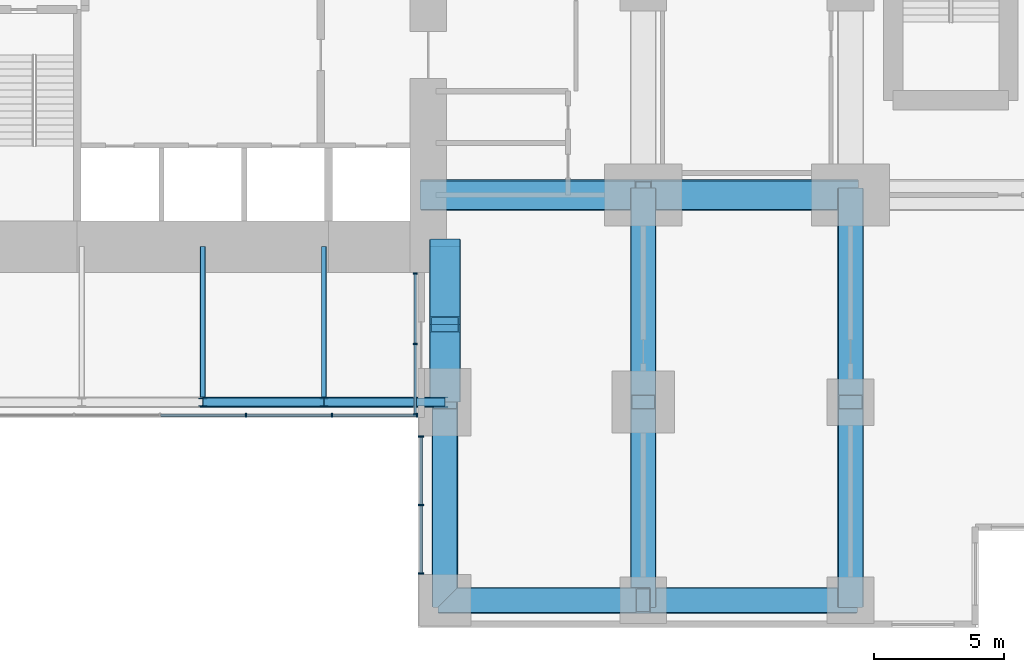
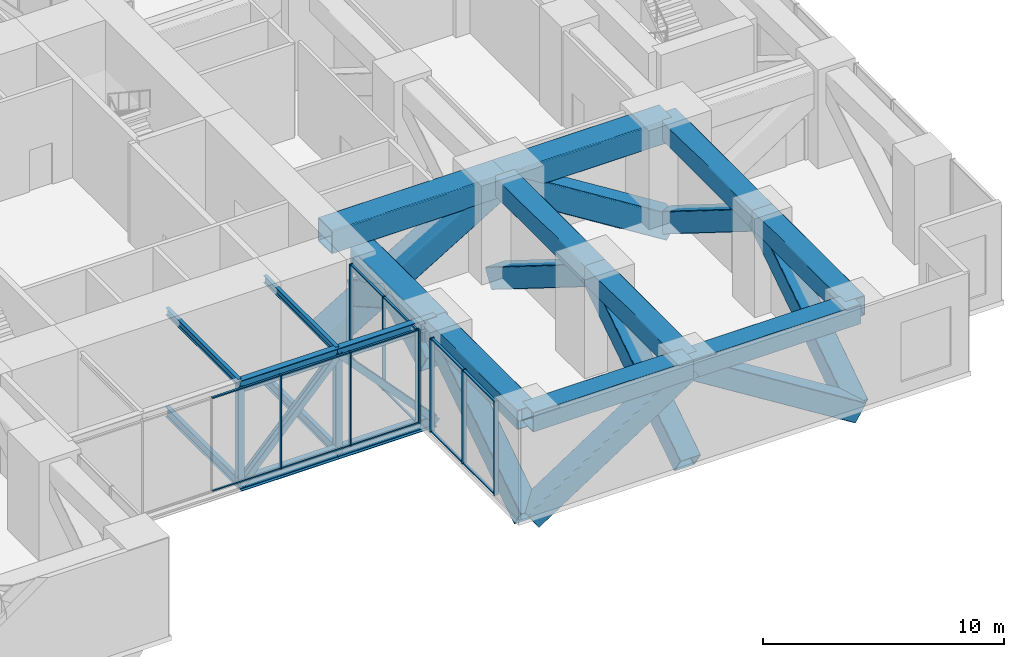
# One storey, part 5 of 19: 48 members, 8 beams, 3 elements without a shape of their own.
"""IFC4 building model written with IfcOpenShell, lengths in metres."""

from ifc_helpers import new_model, si_unit, direction, frame, origin, origin_2d, place, context, subcontext, project, spatial, rectangle, hollow_rectangle, i_section, extrude, material, layer, layer_set, material_profile, profile_set, type_object, element, aggregate, save


model = new_model("IFC4")

# Units and contexts
model_context = context("Model", 3, precision=1e-05, world=origin(), true_north=direction((0.0, 1.0)))
body_context = subcontext(model_context, "Body", "Model", "MODEL_VIEW")
ifc_project = project(units=[si_unit("LENGTHUNIT", "METRE"), si_unit("AREAUNIT", "SQUARE_METRE"), si_unit("VOLUMEUNIT", "CUBIC_METRE"), si_unit("PLANEANGLEUNIT", "RADIAN"), si_unit("MASSUNIT", "GRAM", prefix="KILO")], contexts=[model_context])

# Site, building, storey
site_placement = place(None, origin())
site = spatial("IfcSite", under=ifc_project, at=site_placement, CompositionType="ELEMENT")
building_placement = place(site_placement, origin())
building = spatial("IfcBuilding", under=site, at=building_placement, Name="Cleftline Residences", CompositionType="ELEMENT")
storey_placement = place(building_placement, frame((0.0, 0.0, 177.199951171875)))
storey = spatial("IfcBuildingStorey", under=building, at=storey_placement, Name="L46", CompositionType="ELEMENT", Elevation=177.199951171875)

# Beams
ifc_material_1 = material(Name="Steel S355", Category="steel")
ifc_material_profile_1 = material_profile(ifc_material_1, i_section(OverallWidth=0.169921875, OverallDepth=0.360107421875, WebThickness=0.008056640625, FlangeThickness=0.0126953125, FilletRadius=0.01806640625, at=origin_2d()))
ifc_profile_set_1 = profile_set([ifc_material_profile_1], Name="Steel S355")
beam_type_1 = type_object("IfcBeamType", Name="BEAM IPE 360", PredefinedType="BEAM", material=ifc_profile_set_1)
for number, where, z_axis, x_axis, name in (
    (1, (33.0, 8.0, 4.6201171875), (0.0, 1.0, 0.0), (-1.0, 0.0, 0.0), "Bridge roof beam"),
    (2, (37.675048828125, 8.0, 4.6201171875), (0.0, 1.0, 0.0), (-1.0, 0.0, 0.0), "Bridge roof beam"),
):
    element("IfcBeam", number, at=place(storey_placement, frame(where, z_axis=z_axis, x_axis=x_axis)), inside=storey, type_object=beam_type_1, Name=name, PredefinedType="BEAM", context=body_context, shape_type="SweptSolid", body=[
        extrude(i_section(OverallWidth=0.169921875, OverallDepth=0.360107421875, WebThickness=0.008056640625, FlangeThickness=0.0126953125, FilletRadius=0.01806640625, at=origin_2d()), origin(), (0.0, 0.0, 1.0), 6.0),
    ])
ifc_material_2 = material(Name="Steel S355", Category="steel")
ifc_material_profile_2 = material_profile(ifc_material_2, i_section(OverallWidth=0.199951171875, OverallDepth=0.5, WebThickness=0.01025390625, FlangeThickness=0.01611328125, FilletRadius=0.02099609375, at=origin_2d()))
ifc_profile_set_2 = profile_set([ifc_material_profile_2], Name="Steel S355")
beam_type_2 = type_object("IfcBeamType", Name="BEAM IPE 500", PredefinedType="BEAM", material=ifc_profile_set_2)
for number, where, z_axis, x_axis, name in (
    (3, (33.0, 8.0, -0.449951171875), (0.0, 1.0, 0.0), (-1.0, 0.0, 0.0), "Bridge floor beam"),
    (4, (37.675048828125, 8.0, -0.449951171875), (0.0, 1.0, 0.0), (-1.0, 0.0, 0.0), "Bridge floor beam"),
):
    element("IfcBeam", number, at=place(storey_placement, frame(where, z_axis=z_axis, x_axis=x_axis)), inside=storey, type_object=beam_type_2, Name=name, PredefinedType="BEAM", context=body_context, shape_type="SweptSolid", body=[
        extrude(i_section(OverallWidth=0.199951171875, OverallDepth=0.5, WebThickness=0.01025390625, FlangeThickness=0.01611328125, FilletRadius=0.02099609375, at=origin_2d()), origin(), (0.0, 0.0, 1.0), 6.0),
    ])

# Members
ifc_material_3 = material(Name="Steel S355", Category="steel")
ifc_material_profile_3 = material_profile(ifc_material_3, hollow_rectangle(XDim=1.0, YDim=1.0, WallThickness=0.0400390625, InnerFilletRadius=0.0400390625, OuterFilletRadius=0.06005859375, at=origin_2d()))
ifc_profile_set_3 = profile_set([ifc_material_profile_3], Name="Steel S355")
member_type_1 = type_object("IfcMemberType", Name="BRACE BOX 1000X1000X40", PredefinedType="BRACE", material=ifc_profile_set_3)
for number, where, z_axis, x_axis, name in (
    (5, (42.35009765625, 0.35009765625, -0.75), (0.0, 0.837062783189, 0.547106842399), (0.0, -0.547106842399, 0.837062783189), "Belt truss diagonal"),
    (6, (50.0, 0.35009765625, -0.75), (0.0, 0.837062783189, 0.547106842399), (0.0, -0.547106842399, 0.837062783189), "Belt truss diagonal"),
):
    element("IfcMember", number, at=place(storey_placement, frame(where, z_axis=z_axis, x_axis=x_axis)), inside=storey, type_object=member_type_1, Name=name, PredefinedType="BRACE", context=body_context, shape_type="SweptSolid", body=[
        extrude(hollow_rectangle(XDim=1.0, YDim=1.0, WallThickness=0.0400390625, InnerFilletRadius=0.0400390625, OuterFilletRadius=0.06005859375, at=origin_2d()), origin(), (0.0, 0.0, 1.0), 9.138916015625),
    ])
member_1_placement = place(storey_placement, frame((50.0, 8.0, 4.25), z_axis=(0.0, 0.847998304005, -0.529998940003), x_axis=(0.0, 0.529998940003, 0.847998304005)))
element("IfcMember", 7, at=member_1_placement, inside=storey, type_object=member_type_1, Name="Belt truss diagonal", PredefinedType="BRACE", context=body_context, shape_type="SweptSolid", body=[
    extrude(hollow_rectangle(XDim=1.0, YDim=1.0, WallThickness=0.0400390625, InnerFilletRadius=0.0400390625, OuterFilletRadius=0.06005859375, at=origin_2d()), origin(), (0.0, 0.0, 1.0), 9.43408203125),
])
member_2_placement = place(storey_placement, frame((58.0, 0.35009765625, -0.75), z_axis=(0.0, 0.837062783189, 0.547106842399), x_axis=(0.0, -0.547106842399, 0.837062783189)))
element("IfcMember", 8, at=member_2_placement, inside=storey, type_object=member_type_1, Name="Belt truss diagonal", PredefinedType="BRACE", context=body_context, shape_type="SweptSolid", body=[
    extrude(hollow_rectangle(XDim=1.0, YDim=1.0, WallThickness=0.0400390625, InnerFilletRadius=0.0400390625, OuterFilletRadius=0.06005859375, at=origin_2d()), origin(), (0.0, 0.0, 1.0), 9.138916015625),
])
member_3_placement = place(storey_placement, frame((58.0, 8.0, 4.25), z_axis=(0.0, 0.847998304005, -0.529998940003), x_axis=(0.0, 0.529998940003, 0.847998304005)))
element("IfcMember", 9, at=member_3_placement, inside=storey, type_object=member_type_1, Name="Belt truss diagonal", PredefinedType="BRACE", context=body_context, shape_type="SweptSolid", body=[
    extrude(hollow_rectangle(XDim=1.0, YDim=1.0, WallThickness=0.0400390625, InnerFilletRadius=0.0400390625, OuterFilletRadius=0.06005859375, at=origin_2d()), origin(), (0.0, 0.0, 1.0), 9.43408203125),
])
member_4_placement = place(storey_placement, frame((42.35009765625, 0.35009765625, -0.75), z_axis=(0.837062783189, 0.0, 0.547106842399), x_axis=(-0.547106842399, 0.0, 0.837062783189)))
element("IfcMember", 10, at=member_4_placement, inside=storey, type_object=member_type_1, Name="Belt truss diagonal", PredefinedType="BRACE", context=body_context, shape_type="SweptSolid", body=[
    extrude(hollow_rectangle(XDim=1.0, YDim=1.0, WallThickness=0.0400390625, InnerFilletRadius=0.0400390625, OuterFilletRadius=0.06005859375, at=origin_2d()), origin(), (0.0, 0.0, 1.0), 9.138916015625),
])
member_5_placement = place(storey_placement, frame((50.0, 0.35009765625, 4.25), z_axis=(0.847998304005, 0.0, -0.529998940003), x_axis=(0.529998940003, 0.0, 0.847998304005)))
element("IfcMember", 11, at=member_5_placement, inside=storey, type_object=member_type_1, Name="Belt truss diagonal", PredefinedType="BRACE", context=body_context, shape_type="SweptSolid", body=[
    extrude(hollow_rectangle(XDim=1.0, YDim=1.0, WallThickness=0.0400390625, InnerFilletRadius=0.0400390625, OuterFilletRadius=0.06005859375, at=origin_2d()), origin(), (0.0, 0.0, 1.0), 9.43408203125),
])
ifc_material_4 = material(Name="Steel S355", Category="steel")
ifc_material_profile_4 = material_profile(ifc_material_4, hollow_rectangle(XDim=1.199951171875, YDim=1.199951171875, WallThickness=0.06005859375, InnerFilletRadius=0.06005859375, OuterFilletRadius=0.090087890625, at=origin_2d()))
ifc_profile_set_4 = profile_set([ifc_material_profile_4], Name="Steel S355")
member_type_2 = type_object("IfcMemberType", Name="BRACE BOX 1200X1200X60", PredefinedType="BRACE", material=ifc_profile_set_4)
member_6_placement = place(storey_placement, frame((41.699951171875, 16.0, -0.849853515625), z_axis=(0.85658231387, 0.0, 0.51601040645), x_axis=(-0.51601040645, 0.0, 0.85658231387)))
element("IfcMember", 12, at=member_6_placement, inside=storey, type_object=member_type_2, Name="Outrigger truss diagonal", PredefinedType="BRACE", context=body_context, shape_type="SweptSolid", body=[
    extrude(hollow_rectangle(XDim=1.199951171875, YDim=1.199951171875, WallThickness=0.06005859375, InnerFilletRadius=0.06005859375, OuterFilletRadius=0.090087890625, at=origin_2d()), origin(), (0.0, 0.0, 1.0), 9.689697265625),
])
member_7_placement = place(storey_placement, frame((50.0, 16.0, 4.150146484375), z_axis=(0.847998304005, 0.0, -0.529998940003), x_axis=(0.529998940003, 0.0, 0.847998304005)))
element("IfcMember", 13, at=member_7_placement, inside=storey, type_object=member_type_2, Name="Outrigger truss diagonal", PredefinedType="BRACE", context=body_context, shape_type="SweptSolid", body=[
    extrude(hollow_rectangle(XDim=1.199951171875, YDim=1.199951171875, WallThickness=0.06005859375, InnerFilletRadius=0.06005859375, OuterFilletRadius=0.090087890625, at=origin_2d()), origin(), (0.0, 0.0, 1.0), 9.43408203125),
])
for number, where, z_axis, x_axis, name in (
    (14, (42.35009765625, 8.0, 2.43115234375), (0.0, 0.867655928929, 0.497165152636), (0.0, -0.497165152636, 0.867655928929), "Outrigger truss diagonal"),
    (15, (42.35009765625, 14.0, 2.43115234375), (0.0, -0.867655928929, 0.497165152636), (0.0, 0.497165152636, 0.867655928929), "Outrigger truss diagonal"),
):
    element("IfcMember", number, at=place(storey_placement, frame(where, z_axis=z_axis, x_axis=x_axis)), inside=storey, type_object=member_type_2, Name=name, PredefinedType="BRACE", context=body_context, shape_type="SweptSolid", body=[
        extrude(hollow_rectangle(XDim=1.199951171875, YDim=1.199951171875, WallThickness=0.06005859375, InnerFilletRadius=0.06005859375, OuterFilletRadius=0.090087890625, at=origin_2d()), origin(), (0.0, 0.0, 1.0), 3.45751953125),
    ])
ifc_material_5 = material(Name="Steel S355", Category="steel")
ifc_material_profile_5 = material_profile(ifc_material_5, i_section(OverallWidth=0.300048828125, OverallDepth=0.39990234375, WebThickness=0.013427734375, FlangeThickness=0.02392578125, FilletRadius=0.027099609375, at=origin_2d()))
ifc_profile_set_5 = profile_set([ifc_material_profile_5], Name="Steel S355")
member_type_3 = type_object("IfcMemberType", Name="BRACE HEB 400", PredefinedType="BRACE", material=ifc_profile_set_5)
for number, where, z_axis, x_axis, name in (
    (16, (33.0, 8.0, -0.5), (0.682972422419, 0.0, 0.730444159546), (-0.730444159546, 0.0, 0.682972422419), "Sky bridge truss diagonal"),
    (17, (37.675048828125, 8.0, 4.5), (0.682972422419, 0.0, -0.730444159546), (0.730444159546, 0.0, 0.682972422419), "Sky bridge truss diagonal"),
):
    element("IfcMember", number, at=place(storey_placement, frame(where, z_axis=z_axis, x_axis=x_axis)), inside=storey, type_object=member_type_3, Name=name, PredefinedType="BRACE", context=body_context, shape_type="SweptSolid", body=[
        extrude(i_section(OverallWidth=0.300048828125, OverallDepth=0.39990234375, WebThickness=0.013427734375, FlangeThickness=0.02392578125, FilletRadius=0.027099609375, at=origin_2d()), origin(), (0.0, 0.0, 1.0), 6.84521484375),
    ])

# Beams
ifc_material_6 = material(Name="Steel S355", Category="steel")
ifc_material_profile_6 = material_profile(ifc_material_6, i_section(OverallWidth=0.300048828125, OverallDepth=0.60009765625, WebThickness=0.015380859375, FlangeThickness=0.030029296875, FilletRadius=0.027099609375, at=origin_2d()))
ifc_profile_set_6 = profile_set([ifc_material_profile_6], Name="Steel S355")
beam_type_3 = type_object("IfcBeamType", Name="BRIDGE CHORD HEB 600", PredefinedType="BEAM", material=ifc_profile_set_6)
for number, where, z_axis, x_axis, name in (
    (18, (33.0, 8.0, -0.5), (1.0, 0.0, 0.0), (0.0, 1.0, 0.0), "Sky bridge truss bottom chord"),
    (19, (33.0, 8.0, 4.5), (1.0, 0.0, 0.0), (0.0, 1.0, 0.0), "Sky bridge truss top chord"),
    (20, (37.675048828125, 8.0, -0.5), (1.0, 0.0, 0.0), (0.0, 1.0, 0.0), "Sky bridge truss bottom chord"),
    (21, (37.675048828125, 8.0, 4.5), (1.0, 0.0, 0.0), (0.0, 1.0, 0.0), "Sky bridge truss top chord"),
):
    element("IfcBeam", number, at=place(storey_placement, frame(where, z_axis=z_axis, x_axis=x_axis)), inside=storey, type_object=beam_type_3, Name=name, PredefinedType="BEAM", context=body_context, shape_type="SweptSolid", body=[
        extrude(i_section(OverallWidth=0.300048828125, OverallDepth=0.60009765625, WebThickness=0.015380859375, FlangeThickness=0.030029296875, FilletRadius=0.027099609375, at=origin_2d()), origin(), (0.0, 0.0, 1.0), 4.675048828125),
    ])

# Members
ifc_material_7 = material(Name="Steel S355", Category="steel")
ifc_material_profile_7 = material_profile(ifc_material_7, hollow_rectangle(XDim=1.0, YDim=1.0, WallThickness=0.0400390625, InnerFilletRadius=0.0400390625, OuterFilletRadius=0.06005859375, at=origin_2d()))
ifc_profile_set_7 = profile_set([ifc_material_profile_7], Name="Steel S355")
member_type_4 = type_object("IfcMemberType", Name="CHORD BOX 1000X1000X40", PredefinedType="CHORD", material=ifc_profile_set_7)
for number, where, z_axis, x_axis, name in (
    (22, (42.35009765625, 0.35009765625, 4.25), (0.0, 1.0, 0.0), (-1.0, 0.0, 0.0), "Belt truss top chord"),
    (23, (50.0, 0.35009765625, 4.25), (0.0, 1.0, 0.0), (-1.0, 0.0, 0.0), "Belt truss top chord"),
):
    element("IfcMember", number, at=place(storey_placement, frame(where, z_axis=z_axis, x_axis=x_axis)), inside=storey, type_object=member_type_4, Name=name, PredefinedType="CHORD", context=body_context, shape_type="SweptSolid", body=[
        extrude(hollow_rectangle(XDim=1.0, YDim=1.0, WallThickness=0.0400390625, InnerFilletRadius=0.0400390625, OuterFilletRadius=0.06005859375, at=origin_2d()), origin(), (0.0, 0.0, 1.0), 7.64990234375),
    ])
member_8_placement = place(storey_placement, frame((50.0, 8.0, 4.25), z_axis=(0.0, 1.0, 0.0), x_axis=(-1.0, 0.0, 0.0)))
element("IfcMember", 24, at=member_8_placement, inside=storey, type_object=member_type_4, Name="Belt truss top chord", PredefinedType="CHORD", context=body_context, shape_type="SweptSolid", body=[
    extrude(hollow_rectangle(XDim=1.0, YDim=1.0, WallThickness=0.0400390625, InnerFilletRadius=0.0400390625, OuterFilletRadius=0.06005859375, at=origin_2d()), origin(), (0.0, 0.0, 1.0), 8.0),
])
member_9_placement = place(storey_placement, frame((58.0, 0.35009765625, 4.25), z_axis=(0.0, 1.0, 0.0), x_axis=(-1.0, 0.0, 0.0)))
element("IfcMember", 25, at=member_9_placement, inside=storey, type_object=member_type_4, Name="Belt truss top chord", PredefinedType="CHORD", context=body_context, shape_type="SweptSolid", body=[
    extrude(hollow_rectangle(XDim=1.0, YDim=1.0, WallThickness=0.0400390625, InnerFilletRadius=0.0400390625, OuterFilletRadius=0.06005859375, at=origin_2d()), origin(), (0.0, 0.0, 1.0), 7.64990234375),
])
member_10_placement = place(storey_placement, frame((58.0, 8.0, 4.25), z_axis=(0.0, 1.0, 0.0), x_axis=(-1.0, 0.0, 0.0)))
element("IfcMember", 26, at=member_10_placement, inside=storey, type_object=member_type_4, Name="Belt truss top chord", PredefinedType="CHORD", context=body_context, shape_type="SweptSolid", body=[
    extrude(hollow_rectangle(XDim=1.0, YDim=1.0, WallThickness=0.0400390625, InnerFilletRadius=0.0400390625, OuterFilletRadius=0.06005859375, at=origin_2d()), origin(), (0.0, 0.0, 1.0), 8.0),
])
member_11_placement = place(storey_placement, frame((42.35009765625, 0.35009765625, 4.25), z_axis=(1.0, 0.0, 0.0), x_axis=(0.0, 1.0, 0.0)))
element("IfcMember", 27, at=member_11_placement, inside=storey, type_object=member_type_4, Name="Belt truss top chord", PredefinedType="CHORD", context=body_context, shape_type="SweptSolid", body=[
    extrude(hollow_rectangle(XDim=1.0, YDim=1.0, WallThickness=0.0400390625, InnerFilletRadius=0.0400390625, OuterFilletRadius=0.06005859375, at=origin_2d()), origin(), (0.0, 0.0, 1.0), 7.64990234375),
])
member_12_placement = place(storey_placement, frame((50.0, 0.35009765625, 4.25), z_axis=(1.0, 0.0, 0.0), x_axis=(0.0, 1.0, 0.0)))
element("IfcMember", 28, at=member_12_placement, inside=storey, type_object=member_type_4, Name="Belt truss top chord", PredefinedType="CHORD", context=body_context, shape_type="SweptSolid", body=[
    extrude(hollow_rectangle(XDim=1.0, YDim=1.0, WallThickness=0.0400390625, InnerFilletRadius=0.0400390625, OuterFilletRadius=0.06005859375, at=origin_2d()), origin(), (0.0, 0.0, 1.0), 8.0),
])
ifc_material_8 = material(Name="Steel S355", Category="steel")
ifc_material_profile_8 = material_profile(ifc_material_8, hollow_rectangle(XDim=1.199951171875, YDim=1.199951171875, WallThickness=0.06005859375, InnerFilletRadius=0.06005859375, OuterFilletRadius=0.090087890625, at=origin_2d()))
ifc_profile_set_8 = profile_set([ifc_material_profile_8], Name="Steel S355")
member_type_5 = type_object("IfcMemberType", Name="CHORD BOX 1200X1200X60", PredefinedType="CHORD", material=ifc_profile_set_8)
member_13_placement = place(storey_placement, frame((41.699951171875, 16.0, 4.150146484375), z_axis=(1.0, 0.0, 0.0), x_axis=(0.0, 1.0, 0.0)))
element("IfcMember", 29, at=member_13_placement, inside=storey, type_object=member_type_5, Name="Outrigger truss top chord", PredefinedType="CHORD", context=body_context, shape_type="SweptSolid", body=[
    extrude(hollow_rectangle(XDim=1.199951171875, YDim=1.199951171875, WallThickness=0.06005859375, InnerFilletRadius=0.06005859375, OuterFilletRadius=0.090087890625, at=origin_2d()), origin(), (0.0, 0.0, 1.0), 8.300048828125),
])
member_14_placement = place(storey_placement, frame((50.0, 16.0, 4.150146484375), z_axis=(1.0, 0.0, 0.0), x_axis=(0.0, 1.0, 0.0)))
element("IfcMember", 30, at=member_14_placement, inside=storey, type_object=member_type_5, Name="Outrigger truss top chord", PredefinedType="CHORD", context=body_context, shape_type="SweptSolid", body=[
    extrude(hollow_rectangle(XDim=1.199951171875, YDim=1.199951171875, WallThickness=0.06005859375, InnerFilletRadius=0.06005859375, OuterFilletRadius=0.090087890625, at=origin_2d()), origin(), (0.0, 0.0, 1.0), 8.0),
])
member_15_placement = place(storey_placement, frame((42.35009765625, 8.0, 4.150146484375), z_axis=(0.0, 1.0, 0.0), x_axis=(-1.0, 0.0, 0.0)))
element("IfcMember", 31, at=member_15_placement, inside=storey, type_object=member_type_5, Name="Outrigger truss top chord", PredefinedType="CHORD", context=body_context, shape_type="SweptSolid", body=[
    extrude(hollow_rectangle(XDim=1.199951171875, YDim=1.199951171875, WallThickness=0.06005859375, InnerFilletRadius=0.06005859375, OuterFilletRadius=0.090087890625, at=origin_2d()), origin(), (0.0, 0.0, 1.0), 6.0),
])

# Curtain wall, members
ifc_material_9 = material(Name="Aluminium framed curtain wall", Category="aluminium")
ifc_layer_1 = layer(ifc_material_9, 0.199951171875)
ifc_layer_set_1 = layer_set([ifc_layer_1], Name="CW1 CLEFT GLAZING")
curtain_wall_type_1 = type_object("IfcCurtainWallType", Name="CW1 CLEFT GLAZING", PredefinedType="NOTDEFINED", material=ifc_layer_set_1)
curtain_wall_1_placement = place(storey_placement, origin())
curtain_wall_1 = element("IfcCurtainWall", 32, at=curtain_wall_1_placement, inside=storey, type_object=curtain_wall_type_1, Name="Curtain wall CW1", PredefinedType="NOTDEFINED")
ifc_material_10 = material(Name="Aluminium mullion", Category="aluminium")
ifc_material_profile_9 = material_profile(ifc_material_10, rectangle(XDim=0.199951171875, YDim=0.06005859375, at=origin_2d()))
ifc_profile_set_9 = profile_set([ifc_material_profile_9], Name="Aluminium mullion")
member_type_6 = type_object("IfcMemberType", Name="CW1 MULLION", PredefinedType="MULLION", material=ifc_profile_set_9)
member_16_placement = place(storey_placement, frame((41.425048828125, 6.669921875, 0.0), z_axis=(0.0, 0.0, 1.0), x_axis=(1.0, 0.0, 0.0)))
member_16 = element("IfcMember", 33, at=member_16_placement, type_object=member_type_6, Name="CW1 mullion 1", PredefinedType="MULLION", context=body_context, shape_type="SweptSolid", body=[
    extrude(rectangle(XDim=0.199951171875, YDim=0.06005859375, at=origin_2d()), origin(), (0.0, 0.0, 1.0), 4.75),
])
member_17_placement = place(storey_placement, frame((41.425048828125, 4.02490234375, 0.0), z_axis=(0.0, 0.0, 1.0), x_axis=(1.0, 0.0, 0.0)))
member_17 = element("IfcMember", 34, at=member_17_placement, type_object=member_type_6, Name="CW1 mullion 2", PredefinedType="MULLION", context=body_context, shape_type="SweptSolid", body=[
    extrude(rectangle(XDim=0.199951171875, YDim=0.06005859375, at=origin_2d()), origin(), (0.0, 0.0, 1.0), 4.75),
])
member_18_placement = place(storey_placement, frame((41.425048828125, 1.3798828125, 0.0), z_axis=(0.0, 0.0, 1.0), x_axis=(1.0, 0.0, 0.0)))
member_18 = element("IfcMember", 35, at=member_18_placement, type_object=member_type_6, Name="CW1 mullion 3", PredefinedType="MULLION", context=body_context, shape_type="SweptSolid", body=[
    extrude(rectangle(XDim=0.199951171875, YDim=0.06005859375, at=origin_2d()), origin(), (0.0, 0.0, 1.0), 4.75),
])
ifc_material_11 = material(Name="Aluminium transom", Category="aluminium")
ifc_material_profile_10 = material_profile(ifc_material_11, rectangle(XDim=0.1201171875, YDim=0.06005859375, at=origin_2d()))
ifc_profile_set_10 = profile_set([ifc_material_profile_10], Name="Aluminium transom")
member_type_7 = type_object("IfcMemberType", Name="CW1 TRANSOM", PredefinedType="USERDEFINED", material=ifc_profile_set_10)
member_19_placement = place(storey_placement, frame((41.425048828125, 6.639892578125, 0.030029296875), z_axis=(0.0, -1.0, 0.0), x_axis=(1.0, 0.0, 0.0)))
member_19 = element("IfcMember", 36, at=member_19_placement, type_object=member_type_7, Name="CW1 transom 1.1", ObjectType="TRANSOM", PredefinedType="USERDEFINED", context=body_context, shape_type="SweptSolid", body=[
    extrude(rectangle(XDim=0.1201171875, YDim=0.06005859375, at=origin_2d()), origin(), (0.0, 0.0, 1.0), 2.5849609375),
])
member_20_placement = place(storey_placement, frame((41.425048828125, 6.639892578125, 4.719970703125), z_axis=(0.0, -1.0, 0.0), x_axis=(1.0, 0.0, 0.0)))
member_20 = element("IfcMember", 37, at=member_20_placement, type_object=member_type_7, Name="CW1 transom 1.2", ObjectType="TRANSOM", PredefinedType="USERDEFINED", context=body_context, shape_type="SweptSolid", body=[
    extrude(rectangle(XDim=0.1201171875, YDim=0.06005859375, at=origin_2d()), origin(), (0.0, 0.0, 1.0), 2.5849609375),
])
member_21_placement = place(storey_placement, frame((41.425048828125, 3.9951171875, 0.030029296875), z_axis=(0.0, -1.0, 0.0), x_axis=(1.0, 0.0, 0.0)))
member_21 = element("IfcMember", 38, at=member_21_placement, type_object=member_type_7, Name="CW1 transom 2.1", ObjectType="TRANSOM", PredefinedType="USERDEFINED", context=body_context, shape_type="SweptSolid", body=[
    extrude(rectangle(XDim=0.1201171875, YDim=0.06005859375, at=origin_2d()), origin(), (0.0, 0.0, 1.0), 2.585205078125),
])
member_22_placement = place(storey_placement, frame((41.425048828125, 3.9951171875, 4.719970703125), z_axis=(0.0, -1.0, 0.0), x_axis=(1.0, 0.0, 0.0)))
member_22 = element("IfcMember", 39, at=member_22_placement, type_object=member_type_7, Name="CW1 transom 2.2", ObjectType="TRANSOM", PredefinedType="USERDEFINED", context=body_context, shape_type="SweptSolid", body=[
    extrude(rectangle(XDim=0.1201171875, YDim=0.06005859375, at=origin_2d()), origin(), (0.0, 0.0, 1.0), 2.585205078125),
])
aggregate(curtain_wall_1, [member_16, member_17, member_18, member_19, member_20, member_21, member_22])

ifc_material_12 = material(Name="Aluminium framed curtain wall", Category="aluminium")
ifc_layer_2 = layer(ifc_material_12, 0.199951171875)
ifc_layer_set_2 = layer_set([ifc_layer_2], Name="CW3 BRIDGE GLAZING")
curtain_wall_type_2 = type_object("IfcCurtainWallType", Name="CW3 BRIDGE GLAZING", PredefinedType="NOTDEFINED", material=ifc_layer_set_2)
curtain_wall_2_placement = place(storey_placement, origin())
curtain_wall_2 = element("IfcCurtainWall", 40, at=curtain_wall_2_placement, inside=storey, type_object=curtain_wall_type_2, Name="Curtain wall CW3", PredefinedType="NOTDEFINED")
ifc_material_13 = material(Name="Aluminium mullion", Category="aluminium")
ifc_material_profile_11 = material_profile(ifc_material_13, rectangle(XDim=0.159912109375, YDim=0.06005859375, at=origin_2d()))
ifc_profile_set_11 = profile_set([ifc_material_profile_11], Name="Aluminium mullion")
member_type_8 = type_object("IfcMemberType", Name="CW3 MULLION", PredefinedType="MULLION", material=ifc_profile_set_11)
member_23_placement = place(storey_placement, frame((34.659912109375, 7.5, 0.0), z_axis=(0.0, 0.0, 1.0), x_axis=(0.0, 1.0, 0.0)))
member_23 = element("IfcMember", 41, at=member_23_placement, type_object=member_type_8, Name="CW3 mullion 4", PredefinedType="MULLION", context=body_context, shape_type="SweptSolid", body=[
    extrude(rectangle(XDim=0.159912109375, YDim=0.06005859375, at=origin_2d()), origin(), (0.0, 0.0, 1.0), 4.75),
])
member_24_placement = place(storey_placement, frame((37.97998046875, 7.5, 0.0), z_axis=(0.0, 0.0, 1.0), x_axis=(0.0, 1.0, 0.0)))
member_24 = element("IfcMember", 42, at=member_24_placement, type_object=member_type_8, Name="CW3 mullion 5", PredefinedType="MULLION", context=body_context, shape_type="SweptSolid", body=[
    extrude(rectangle(XDim=0.159912109375, YDim=0.06005859375, at=origin_2d()), origin(), (0.0, 0.0, 1.0), 4.75),
])
member_25_placement = place(storey_placement, frame((41.27001953125, 7.5, 0.0), z_axis=(0.0, 0.0, 1.0), x_axis=(0.0, 1.0, 0.0)))
member_25 = element("IfcMember", 43, at=member_25_placement, type_object=member_type_8, Name="CW3 mullion 6", PredefinedType="MULLION", context=body_context, shape_type="SweptSolid", body=[
    extrude(rectangle(XDim=0.159912109375, YDim=0.06005859375, at=origin_2d()), origin(), (0.0, 0.0, 1.0), 4.75),
])

curtain_wall_3_placement = place(storey_placement, origin())
curtain_wall_3 = element("IfcCurtainWall", 44, at=curtain_wall_3_placement, inside=storey, type_object=curtain_wall_type_2, Name="Curtain wall CW3", PredefinedType="NOTDEFINED")
member_26_placement = place(storey_placement, frame((41.199951171875, 12.969970703125, 0.0), z_axis=(0.0, 0.0, 1.0), x_axis=(1.0, 0.0, 0.0)))
member_26 = element("IfcMember", 45, at=member_26_placement, type_object=member_type_8, Name="CW3 mullion 1", PredefinedType="MULLION", context=body_context, shape_type="SweptSolid", body=[
    extrude(rectangle(XDim=0.159912109375, YDim=0.06005859375, at=origin_2d()), origin(), (0.0, 0.0, 1.0), 4.75),
])
member_27_placement = place(storey_placement, frame((41.199951171875, 10.25, 0.0), z_axis=(0.0, 0.0, 1.0), x_axis=(1.0, 0.0, 0.0)))
member_27 = element("IfcMember", 46, at=member_27_placement, type_object=member_type_8, Name="CW3 mullion 2", PredefinedType="MULLION", context=body_context, shape_type="SweptSolid", body=[
    extrude(rectangle(XDim=0.159912109375, YDim=0.06005859375, at=origin_2d()), origin(), (0.0, 0.0, 1.0), 4.75),
])
member_28_placement = place(storey_placement, frame((41.199951171875, 7.530029296875, 0.0), z_axis=(0.0, 0.0, 1.0), x_axis=(1.0, 0.0, 0.0)))
member_28 = element("IfcMember", 47, at=member_28_placement, type_object=member_type_8, Name="CW3 mullion 3", PredefinedType="MULLION", context=body_context, shape_type="SweptSolid", body=[
    extrude(rectangle(XDim=0.159912109375, YDim=0.06005859375, at=origin_2d()), origin(), (0.0, 0.0, 1.0), 4.75),
])

# Member
ifc_material_14 = material(Name="Aluminium transom", Category="aluminium")
ifc_material_profile_12 = material_profile(ifc_material_14, rectangle(XDim=0.095947265625, YDim=0.06005859375, at=origin_2d()))
ifc_profile_set_12 = profile_set([ifc_material_profile_12], Name="Aluminium transom")
member_type_9 = type_object("IfcMemberType", Name="CW3 TRANSOM", PredefinedType="USERDEFINED", material=ifc_profile_set_12)
member_29_placement = place(storey_placement, frame((31.3701171875, 7.5, 0.030029296875), z_axis=(1.0, 0.0, 0.0), x_axis=(0.0, 1.0, 0.0)))
member_29 = element("IfcMember", 48, at=member_29_placement, type_object=member_type_9, Name="CW3 transom 3.1", ObjectType="TRANSOM", PredefinedType="USERDEFINED", context=body_context, shape_type="SweptSolid", body=[
    extrude(rectangle(XDim=0.095947265625, YDim=0.06005859375, at=origin_2d()), origin(), (0.0, 0.0, 1.0), 3.259765625),
])

member_30_placement = place(storey_placement, frame((31.3701171875, 7.5, 4.719970703125), z_axis=(1.0, 0.0, 0.0), x_axis=(0.0, 1.0, 0.0)))
member_30 = element("IfcMember", 49, at=member_30_placement, type_object=member_type_9, Name="CW3 transom 3.2", ObjectType="TRANSOM", PredefinedType="USERDEFINED", context=body_context, shape_type="SweptSolid", body=[
    extrude(rectangle(XDim=0.095947265625, YDim=0.06005859375, at=origin_2d()), origin(), (0.0, 0.0, 1.0), 3.259765625),
])

member_31_placement = place(storey_placement, frame((34.68994140625, 7.5, 0.030029296875), z_axis=(1.0, 0.0, 0.0), x_axis=(0.0, 1.0, 0.0)))
member_31 = element("IfcMember", 50, at=member_31_placement, type_object=member_type_9, Name="CW3 transom 4.1", ObjectType="TRANSOM", PredefinedType="USERDEFINED", context=body_context, shape_type="SweptSolid", body=[
    extrude(rectangle(XDim=0.095947265625, YDim=0.06005859375, at=origin_2d()), origin(), (0.0, 0.0, 1.0), 3.260009765625),
])

member_32_placement = place(storey_placement, frame((34.68994140625, 7.5, 4.719970703125), z_axis=(1.0, 0.0, 0.0), x_axis=(0.0, 1.0, 0.0)))
member_32 = element("IfcMember", 51, at=member_32_placement, type_object=member_type_9, Name="CW3 transom 4.2", ObjectType="TRANSOM", PredefinedType="USERDEFINED", context=body_context, shape_type="SweptSolid", body=[
    extrude(rectangle(XDim=0.095947265625, YDim=0.06005859375, at=origin_2d()), origin(), (0.0, 0.0, 1.0), 3.260009765625),
])

member_33_placement = place(storey_placement, frame((38.010009765625, 7.5, 0.030029296875), z_axis=(1.0, 0.0, 0.0), x_axis=(0.0, 1.0, 0.0)))
member_33 = element("IfcMember", 52, at=member_33_placement, type_object=member_type_9, Name="CW3 transom 5.1", ObjectType="TRANSOM", PredefinedType="USERDEFINED", context=body_context, shape_type="SweptSolid", body=[
    extrude(rectangle(XDim=0.095947265625, YDim=0.06005859375, at=origin_2d()), origin(), (0.0, 0.0, 1.0), 3.22998046875),
])

member_34_placement = place(storey_placement, frame((38.010009765625, 7.5, 4.719970703125), z_axis=(1.0, 0.0, 0.0), x_axis=(0.0, 1.0, 0.0)))
member_34 = element("IfcMember", 53, at=member_34_placement, type_object=member_type_9, Name="CW3 transom 5.2", ObjectType="TRANSOM", PredefinedType="USERDEFINED", context=body_context, shape_type="SweptSolid", body=[
    extrude(rectangle(XDim=0.095947265625, YDim=0.06005859375, at=origin_2d()), origin(), (0.0, 0.0, 1.0), 3.22998046875),
])

aggregate(curtain_wall_2, [member_23, member_24, member_25, member_29, member_30, member_31, member_32, member_33, member_34])

member_35_placement = place(storey_placement, frame((41.199951171875, 12.93994140625, 0.030029296875), z_axis=(0.0, -1.0, 0.0), x_axis=(1.0, 0.0, 0.0)))
member_35 = element("IfcMember", 54, at=member_35_placement, type_object=member_type_9, Name="CW3 transom 1.1", ObjectType="TRANSOM", PredefinedType="USERDEFINED", context=body_context, shape_type="SweptSolid", body=[
    extrude(rectangle(XDim=0.095947265625, YDim=0.06005859375, at=origin_2d()), origin(), (0.0, 0.0, 1.0), 2.659912109375),
])

member_36_placement = place(storey_placement, frame((41.199951171875, 12.93994140625, 4.719970703125), z_axis=(0.0, -1.0, 0.0), x_axis=(1.0, 0.0, 0.0)))
member_36 = element("IfcMember", 55, at=member_36_placement, type_object=member_type_9, Name="CW3 transom 1.2", ObjectType="TRANSOM", PredefinedType="USERDEFINED", context=body_context, shape_type="SweptSolid", body=[
    extrude(rectangle(XDim=0.095947265625, YDim=0.06005859375, at=origin_2d()), origin(), (0.0, 0.0, 1.0), 2.659912109375),
])

member_37_placement = place(storey_placement, frame((41.199951171875, 10.219970703125, 0.030029296875), z_axis=(0.0, -1.0, 0.0), x_axis=(1.0, 0.0, 0.0)))
member_37 = element("IfcMember", 56, at=member_37_placement, type_object=member_type_9, Name="CW3 transom 2.1", ObjectType="TRANSOM", PredefinedType="USERDEFINED", context=body_context, shape_type="SweptSolid", body=[
    extrude(rectangle(XDim=0.095947265625, YDim=0.06005859375, at=origin_2d()), origin(), (0.0, 0.0, 1.0), 2.659912109375),
])

member_38_placement = place(storey_placement, frame((41.199951171875, 10.219970703125, 4.719970703125), z_axis=(0.0, -1.0, 0.0), x_axis=(1.0, 0.0, 0.0)))
member_38 = element("IfcMember", 57, at=member_38_placement, type_object=member_type_9, Name="CW3 transom 2.2", ObjectType="TRANSOM", PredefinedType="USERDEFINED", context=body_context, shape_type="SweptSolid", body=[
    extrude(rectangle(XDim=0.095947265625, YDim=0.06005859375, at=origin_2d()), origin(), (0.0, 0.0, 1.0), 2.659912109375),
])

aggregate(curtain_wall_3, [member_26, member_27, member_28, member_35, member_36, member_37, member_38])

# Members
ifc_material_15 = material(Name="Steel S355", Category="steel")
ifc_material_profile_13 = material_profile(ifc_material_15, i_section(OverallWidth=0.300048828125, OverallDepth=0.300048828125, WebThickness=0.010986328125, FlangeThickness=0.01904296875, FilletRadius=0.027099609375, at=origin_2d()))
ifc_profile_set_13 = profile_set([ifc_material_profile_13], Name="Steel S355")
member_type_10 = type_object("IfcMemberType", Name="POST HEB 300", PredefinedType="POST", material=ifc_profile_set_13)
for number, where, z_axis, x_axis, name in (
    (58, (33.0, 8.0, -0.5), (0.0, 0.0, 1.0), (1.0, 0.0, 0.0), "Sky bridge truss post"),
    (59, (37.675048828125, 8.0, -0.5), (0.0, 0.0, 1.0), (1.0, 0.0, 0.0), "Sky bridge truss post"),
):
    element("IfcMember", number, at=place(storey_placement, frame(where, z_axis=z_axis, x_axis=x_axis)), inside=storey, type_object=member_type_10, Name=name, PredefinedType="POST", context=body_context, shape_type="SweptSolid", body=[
        extrude(i_section(OverallWidth=0.300048828125, OverallDepth=0.300048828125, WebThickness=0.010986328125, FlangeThickness=0.01904296875, FilletRadius=0.027099609375, at=origin_2d()), origin(), (0.0, 0.0, 1.0), 5.0),
    ])

save(model, "model.ifc")
